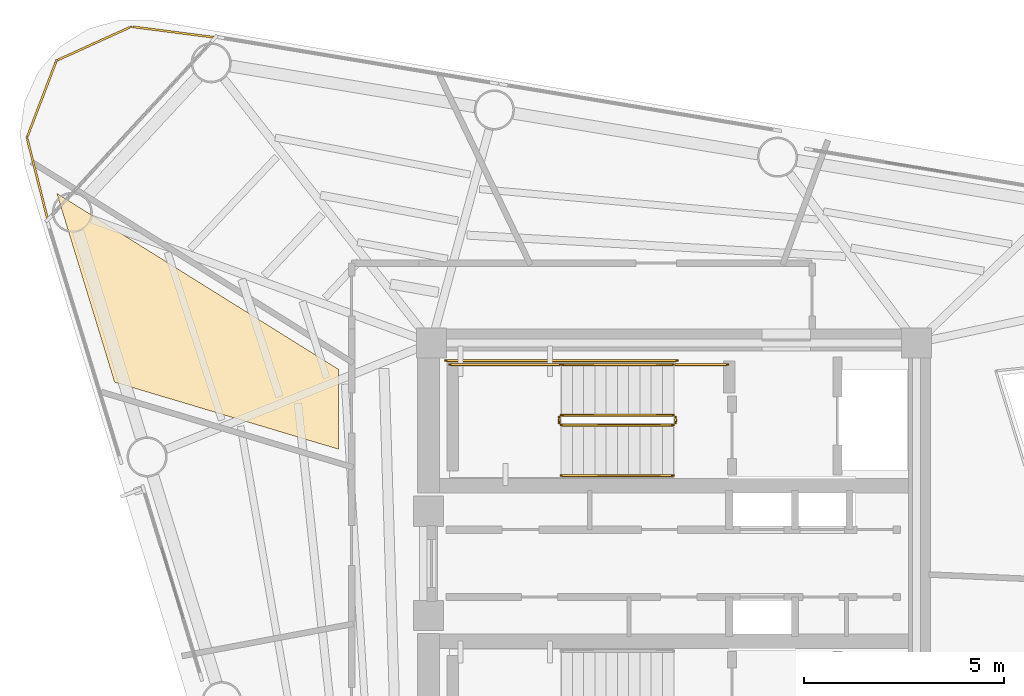
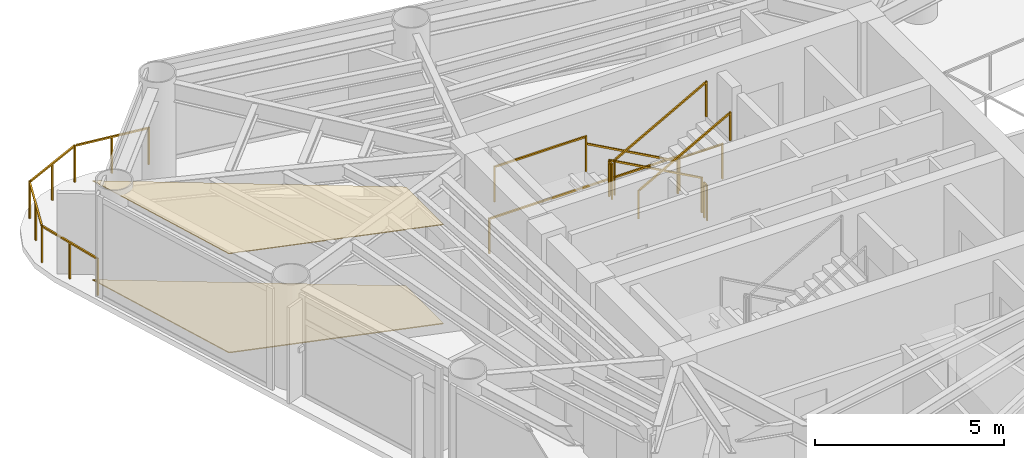
# One storey, part 8 of 9: 10 railings, 2 coverings.
"""IFC4 building model written with IfcOpenShell, lengths in metres."""

from ifc_helpers import new_model, si_unit, direction, frame, origin, origin_2d, place, context, subcontext, project, spatial, polyline, rectangle, outline, extrude, material, layer, layer_set, type_object, element, save


model = new_model("IFC4")

# Units and contexts
model_context = context("Model", 3, precision=1e-05, world=origin(), true_north=direction((0.0, 1.0)))
body_context = subcontext(model_context, "Body", "Model", "MODEL_VIEW")
ifc_project = project(units=[si_unit("LENGTHUNIT", "METRE"), si_unit("AREAUNIT", "SQUARE_METRE"), si_unit("VOLUMEUNIT", "CUBIC_METRE"), si_unit("PLANEANGLEUNIT", "RADIAN"), si_unit("MASSUNIT", "GRAM", prefix="KILO")], contexts=[model_context])

# Site, building, storey
site_placement = place(None, origin())
site = spatial("IfcSite", under=ifc_project, at=site_placement, CompositionType="ELEMENT")
building_placement = place(site_placement, origin())
building = spatial("IfcBuilding", under=site, at=building_placement, Name="Yunling Apex Tower", CompositionType="ELEMENT")
storey_placement = place(building_placement, frame((0.0, 0.0, 245.64990234375)))
storey = spatial("IfcBuildingStorey", under=building, at=storey_placement, Name="L60", CompositionType="ELEMENT", Elevation=245.64990234375)

# Coverings
ifc_material_1 = material(Name="Acoustic mineral fibre ceiling")
ifc_layer_1 = layer(ifc_material_1, 0.02490234375)
ifc_layer_set_1 = layer_set([ifc_layer_1], Name="Acoustic mineral fibre ceiling")
covering_type_1 = type_object("IfcCoveringType", Name="CV-CLG-1", PredefinedType="CEILING", material=ifc_layer_set_1)
covering_1_placement = place(storey_placement, frame((0.0, 0.0, 3.195068359375)))
element("IfcCovering", 1, at=covering_1_placement, inside=storey, type_object=covering_type_1, Name="CV-CL-SP-L60-AMN8", PredefinedType="CEILING", context=body_context, shape_type="SweptSolid", body=[
    extrude(outline(polyline([(-13.95263671875, 4.521484375), (-15.3916015625, 9.228759765625), (-8.3701171875, 4.841064453125), (-8.3701171875, 2.850341796875), (-13.95263671875, 4.521484375)])), origin(), (0.0, 0.0, 1.0), 0.025146484375),
])
ifc_material_2 = material(Name="Polished granite stone", Category="masonry")
ifc_layer_2 = layer(ifc_material_2, 0.030029296875)
ifc_layer_set_2 = layer_set([ifc_layer_2], Name="Polished granite stone")
covering_type_2 = type_object("IfcCoveringType", Name="CV-FLR-1", PredefinedType="FLOORING", material=ifc_layer_set_2)
covering_2_placement = place(storey_placement, origin())
element("IfcCovering", 2, at=covering_2_placement, inside=storey, type_object=covering_type_2, Name="CV-FL-SP-L60-AMN8", PredefinedType="FLOORING", context=body_context, shape_type="SweptSolid", body=[
    extrude(outline(polyline([(-13.95263671875, 4.521484375), (-15.3916015625, 9.228759765625), (-8.3701171875, 4.841064453125), (-8.3701171875, 2.850341796875), (-13.95263671875, 4.521484375)])), origin(), (0.0, 0.0, 1.0), 0.030029296875),
])

# Railings
ifc_material_3 = material(Name="Bronze anodised aluminium", Category="aluminium")
railing_type_1 = type_object("IfcRailingType", Name="RL-BAL-1200", PredefinedType="BALUSTRADE", material=ifc_material_3)
railing_1_placement = place(storey_placement, frame((-15.61962890625, 8.571533203125, 0.0)))
element("IfcRailing", 3, at=railing_1_placement, inside=storey, type_object=railing_type_1, Name="RL-CRNSILL-L60-2", PredefinedType="BALUSTRADE", context=body_context, shape_type="SweptSolid", body=[
    extrude(rectangle(XDim=0.0439453125, YDim=0.0439453125, at=origin_2d()), origin(), (0.0, 0.0, 1.0), 1.199951171875),
    extrude(rectangle(XDim=0.0439453125, YDim=0.0439453125, at=origin_2d()), frame((-0.5185546875, 2.04931640625, 0.0)), (0.0, 0.0, 1.0), 1.199951171875),
    extrude(rectangle(XDim=0.050048828125, YDim=0.050048828125, at=origin_2d()), frame((-0.009521484375, 0.037109375, 1.1748046875), z_axis=(-0.245306459502, 0.969445584304, 0.0), x_axis=(-0.969445584304, -0.245306459502, 0.0)), (0.0, 0.0, 1.0), 2.037353515625),
    extrude(rectangle(XDim=0.0439453125, YDim=0.0439453125, at=origin_2d()), frame((-0.25927734375, 1.024658203125, 0.0)), (0.0, 0.0, 1.0), 1.14599609375),
    extrude(rectangle(XDim=0.0439453125, YDim=0.0439453125, at=origin_2d()), frame((0.216552734375, 3.970458984375, 0.0)), (0.0, 0.0, 1.0), 1.199951171875),
    extrude(rectangle(XDim=0.050048828125, YDim=0.050048828125, at=origin_2d()), frame((-0.5048828125, 2.085205078125, 1.1748046875), z_axis=(0.357371966157, 0.933962139385, 0.0), x_axis=(-0.933962139385, 0.357371966157, 0.0)), (0.0, 0.0, 1.0), 1.980224609375),
    extrude(rectangle(XDim=0.0439453125, YDim=0.0439453125, at=origin_2d()), frame((-0.15087890625, 3.009765625, 0.0)), (0.0, 0.0, 1.0), 1.14599609375),
    extrude(rectangle(XDim=0.0439453125, YDim=0.0439453125, at=origin_2d()), frame((2.083740234375, 4.817626953125, 0.0)), (0.0, 0.0, 1.0), 1.199951171875),
    extrude(rectangle(XDim=0.050048828125, YDim=0.050048828125, at=origin_2d()), frame((0.25146484375, 3.986328125, 1.1748046875), z_axis=(0.910651704015, 0.413174870938, 0.0), x_axis=(-0.413174870938, 0.910651704015, 0.0)), (0.0, 0.0, 1.0), 1.9736328125),
    extrude(rectangle(XDim=0.0439453125, YDim=0.0439453125, at=origin_2d()), frame((1.150146484375, 4.39404296875, 0.0)), (0.0, 0.0, 1.0), 1.14599609375),
    extrude(rectangle(XDim=0.0439453125, YDim=0.0439453125, at=origin_2d()), frame((4.180908203125, 4.54736328125, 0.0)), (0.0, 0.0, 1.0), 1.199951171875),
    extrude(rectangle(XDim=0.050048828125, YDim=0.050048828125, at=origin_2d()), frame((2.121826171875, 4.812744140625, 1.1748046875), z_axis=(0.99179818069, -0.127813805125, 0.0), x_axis=(0.127813805125, 0.99179818069, 0.0)), (0.0, 0.0, 1.0), 2.037841796875),
    extrude(rectangle(XDim=0.0439453125, YDim=0.0439453125, at=origin_2d()), frame((3.13232421875, 4.6826171875, 0.0)), (0.0, 0.0, 1.0), 1.14599609375),
])
ifc_material_4 = material(Name="Steel Q355B", Category="steel")
railing_type_2 = type_object("IfcRailingType", Name="RL-GRD-1150", PredefinedType="GUARDRAIL", material=ifc_material_4)
railing_2_placement = place(storey_placement, frame((-0.010009765625, 3.699951171875, 0.154541015625)))
element("IfcRailing", 4, at=railing_2_placement, inside=storey, type_object=railing_type_2, Name="L60 ST-1 stair guard 1", PredefinedType="GUARDRAIL", context=body_context, shape_type="SweptSolid", body=[
    extrude(rectangle(XDim=0.0439453125, YDim=0.0439453125, at=origin_2d()), origin(), (0.0, 0.0, 1.0), 1.14990234375),
    extrude(rectangle(XDim=0.0439453125, YDim=0.0439453125, at=origin_2d()), frame((-2.800048828125, 0.0, 1.545654296875)), (0.0, 0.0, 1.0), 1.14990234375),
    extrude(rectangle(XDim=0.050048828125, YDim=0.050048828125, at=origin_2d()), frame((-0.033447265625, 0.0, 1.143310546875), z_axis=(-0.875471895205, 0.0, 0.483269035534), x_axis=(0.0, -1.0, 0.0)), (0.0, 0.0, 1.0), 3.12158203125),
])
railing_3_placement = place(storey_placement, frame((-2.860107421875, 3.64990234375, 1.7001953125)))
element("IfcRailing", 5, at=railing_3_placement, inside=storey, type_object=railing_type_2, Name="L60 ST-1 stair guard 2", PredefinedType="GUARDRAIL", context=body_context, shape_type="SweptSolid", body=[
    extrude(rectangle(XDim=0.0439453125, YDim=0.0439453125, at=origin_2d()), origin(), (0.0, 0.0, 1.0), 1.14990234375),
    extrude(rectangle(XDim=0.0439453125, YDim=0.0439453125, at=origin_2d()), frame((0.0, -0.14990234375, 0.0)), (0.0, 0.0, 1.0), 1.14990234375),
    extrude(rectangle(XDim=0.050048828125, YDim=0.050048828125, at=origin_2d()), frame((0.0, -0.038330078125, 1.125), z_axis=(0.0, -1.0, 0.0), x_axis=(1.0, 0.0, 0.0)), (0.0, 0.0, 1.0), 0.0732421875),
])
railing_4_placement = place(storey_placement, frame((-2.81005859375, 4.9599609375, 1.7001953125)))
element("IfcRailing", 6, at=railing_4_placement, inside=storey, type_object=railing_type_2, Name="L60 ST-1 stair guard 3", PredefinedType="GUARDRAIL", context=body_context, shape_type="SweptSolid", body=[
    extrude(rectangle(XDim=0.0439453125, YDim=0.0439453125, at=origin_2d()), origin(), (0.0, 0.0, 1.0), 1.14990234375),
    extrude(rectangle(XDim=0.0439453125, YDim=0.0439453125, at=origin_2d()), frame((-2.7900390625, 0.0, 0.0)), (0.0, 0.0, 1.0), 1.14990234375),
    extrude(rectangle(XDim=0.050048828125, YDim=0.050048828125, at=origin_2d()), frame((-0.038330078125, 0.0, 1.125), z_axis=(-1.0, 0.0, 0.0), x_axis=(0.0, -1.0, 0.0)), (0.0, 0.0, 1.0), 2.71337890625),
])
railing_5_placement = place(storey_placement, frame((-2.81005859375, 3.449951171875, 1.854736328125)))
element("IfcRailing", 7, at=railing_5_placement, inside=storey, type_object=railing_type_2, Name="L60 ST-1 stair guard 4", PredefinedType="GUARDRAIL", context=body_context, shape_type="SweptSolid", body=[
    extrude(rectangle(XDim=0.0439453125, YDim=0.0439453125, at=origin_2d()), origin(), (0.0, 0.0, 1.0), 1.14990234375),
    extrude(rectangle(XDim=0.0439453125, YDim=0.0439453125, at=origin_2d()), frame((2.800048828125, 0.0, 1.54541015625)), (0.0, 0.0, 1.0), 1.14990234375),
    extrude(rectangle(XDim=0.050048828125, YDim=0.050048828125, at=origin_2d()), frame((0.033447265625, 0.0, 1.143310546875), z_axis=(0.875504190374, 0.0, 0.483210526207), x_axis=(0.0, 1.0, 0.0)), (0.0, 0.0, 1.0), 3.12158203125),
])
railing_6_placement = place(storey_placement, frame((0.0400390625, 3.64990234375, 0.0)))
element("IfcRailing", 8, at=railing_6_placement, inside=storey, type_object=railing_type_2, Name="L60 ST-1 stair guard 5", PredefinedType="GUARDRAIL", context=body_context, shape_type="SweptSolid", body=[
    extrude(rectangle(XDim=0.0439453125, YDim=0.0439453125, at=origin_2d()), origin(), (0.0, 0.0, 1.0), 1.14990234375),
    extrude(rectangle(XDim=0.0439453125, YDim=0.0439453125, at=origin_2d()), frame((0.0, -0.14990234375, 0.0)), (0.0, 0.0, 1.0), 1.14990234375),
    extrude(rectangle(XDim=0.050048828125, YDim=0.050048828125, at=origin_2d()), frame((0.0, -0.038330078125, 1.125), z_axis=(0.0, -1.0, 0.0), x_axis=(1.0, 0.0, 0.0)), (0.0, 0.0, 1.0), 0.0732421875),
])
railing_7_placement = place(storey_placement, frame((1.35009765625, 4.9599609375, 0.0)))
element("IfcRailing", 9, at=railing_7_placement, inside=storey, type_object=railing_type_2, Name="L60 ST-1 stair guard 6", PredefinedType="GUARDRAIL", context=body_context, shape_type="SweptSolid", body=[
    extrude(rectangle(XDim=0.0439453125, YDim=0.0439453125, at=origin_2d()), origin(), (0.0, 0.0, 1.0), 1.14990234375),
    extrude(rectangle(XDim=0.0439453125, YDim=0.0439453125, at=origin_2d()), frame((-1.360107421875, 0.0, 0.0)), (0.0, 0.0, 1.0), 1.14990234375),
    extrude(rectangle(XDim=0.050048828125, YDim=0.050048828125, at=origin_2d()), frame((-0.038330078125, 0.0, 1.125), z_axis=(-1.0, 0.0, 0.0), x_axis=(0.0, -1.0, 0.0)), (0.0, 0.0, 1.0), 1.283447265625),
])
railing_8_placement = place(storey_placement, frame((0.090087890625, 5.06005859375, 0.0)))
element("IfcRailing", 10, at=railing_8_placement, inside=storey, type_object=railing_type_2, Name="L60 ST-1 stair guard 7", PredefinedType="GUARDRAIL", context=body_context, shape_type="SweptSolid", body=[
    extrude(rectangle(XDim=0.0439453125, YDim=0.0439453125, at=origin_2d()), origin(), (0.0, 0.0, 1.0), 1.14990234375),
    extrude(rectangle(XDim=0.0439453125, YDim=0.0439453125, at=origin_2d()), frame((-5.7900390625, 0.0, 0.0)), (0.0, 0.0, 1.0), 1.14990234375),
    extrude(rectangle(XDim=0.050048828125, YDim=0.050048828125, at=origin_2d()), frame((-0.038330078125, 0.0, 1.125), z_axis=(-1.0, 0.0, 0.0), x_axis=(0.0, -1.0, 0.0)), (0.0, 0.0, 1.0), 5.71337890625),
])
ifc_material_5 = material(Name="Silver anodised aluminium", Category="aluminium")
railing_type_3 = type_object("IfcRailingType", Name="RL-HND-900", PredefinedType="HANDRAIL", material=ifc_material_5)
railing_9_placement = place(storey_placement, frame((-0.010009765625, 4.9599609375, 0.154541015625)))
element("IfcRailing", 11, at=railing_9_placement, inside=storey, type_object=railing_type_3, Name="L60 ST-1 stair handrail 1", PredefinedType="HANDRAIL", context=body_context, shape_type="SweptSolid", body=[
    extrude(rectangle(XDim=0.0439453125, YDim=0.0439453125, at=origin_2d()), origin(), (0.0, 0.0, 1.0), 0.919921875),
    extrude(rectangle(XDim=0.0439453125, YDim=0.0439453125, at=origin_2d()), frame((-2.800048828125, 0.0, 1.545654296875)), (0.0, 0.0, 1.0), 0.919921875),
    extrude(rectangle(XDim=0.050048828125, YDim=0.050048828125, at=origin_2d()), frame((-0.033447265625, 0.0, 0.913330078125), z_axis=(-0.875471895205, 0.0, 0.483269035534), x_axis=(0.0, -1.0, 0.0)), (0.0, 0.0, 1.0), 3.12158203125),
])
railing_10_placement = place(storey_placement, frame((-2.81005859375, 2.18994140625, 1.854736328125)))
element("IfcRailing", 12, at=railing_10_placement, inside=storey, type_object=railing_type_3, Name="L60 ST-1 stair handrail 2", PredefinedType="HANDRAIL", context=body_context, shape_type="SweptSolid", body=[
    extrude(rectangle(XDim=0.0439453125, YDim=0.0439453125, at=origin_2d()), origin(), (0.0, 0.0, 1.0), 0.919921875),
    extrude(rectangle(XDim=0.0439453125, YDim=0.0439453125, at=origin_2d()), frame((2.800048828125, 0.0, 1.54541015625)), (0.0, 0.0, 1.0), 0.919921875),
    extrude(rectangle(XDim=0.050048828125, YDim=0.050048828125, at=origin_2d()), frame((0.033447265625, 0.0, 0.913330078125), z_axis=(0.875504190374, 0.0, 0.483210526207), x_axis=(0.0, 1.0, 0.0)), (0.0, 0.0, 1.0), 3.12158203125),
])

save(model, "model.ifc")
